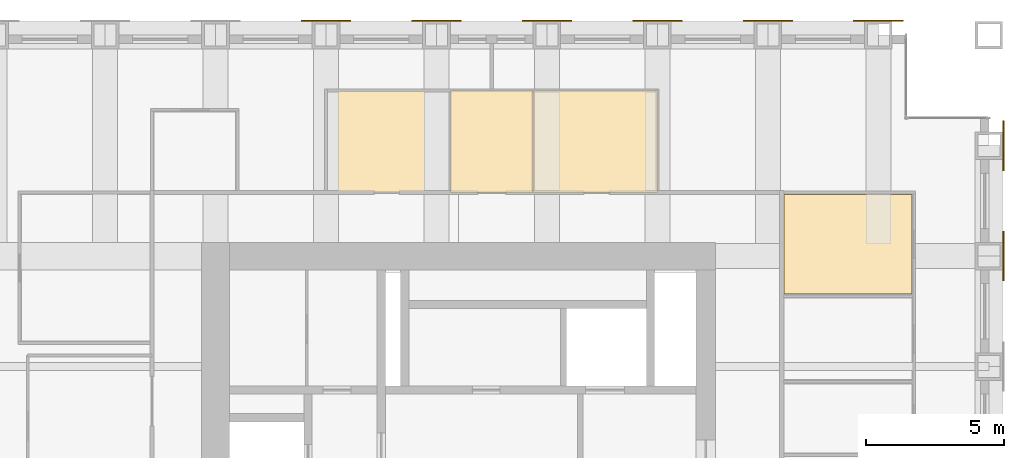
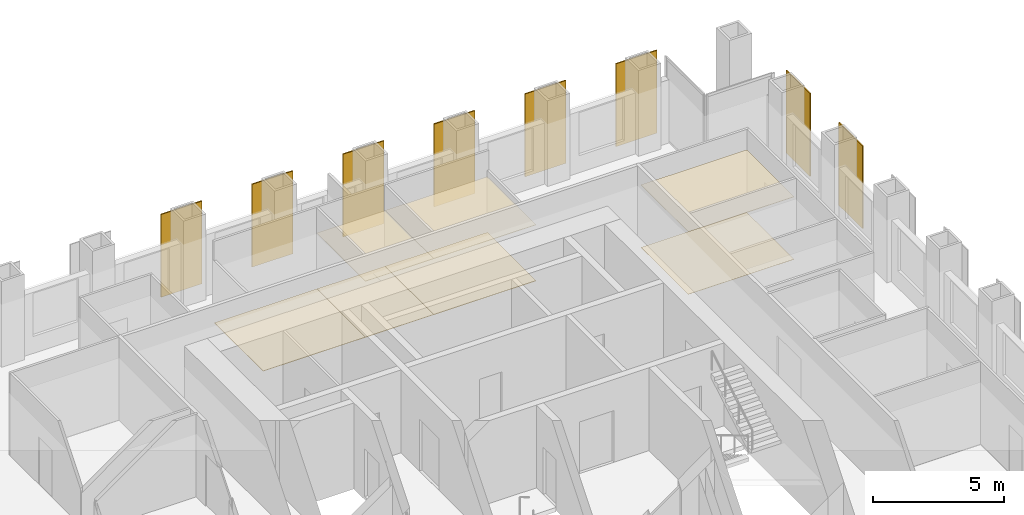
# One storey, part 13 of 13: 8 shading devices, 7 coverings.
"""IFC4 building model written with IfcOpenShell, lengths in metres."""

from ifc_helpers import new_model, si_unit, direction, frame, origin, origin_2d, place, context, subcontext, project, spatial, polyline, rectangle, outline, extrude, material, layer, layer_set, type_object, element, save


model = new_model("IFC4")

# Units and contexts
model_context = context("Model", 3, precision=1e-05, world=origin(), true_north=direction((0.0, 1.0)))
body_context = subcontext(model_context, "Body", "Model", "MODEL_VIEW")
ifc_project = project(units=[si_unit("LENGTHUNIT", "METRE"), si_unit("AREAUNIT", "SQUARE_METRE"), si_unit("VOLUMEUNIT", "CUBIC_METRE"), si_unit("PLANEANGLEUNIT", "RADIAN"), si_unit("MASSUNIT", "GRAM", prefix="KILO")], contexts=[model_context])

# Site, building, storey
site_placement = place(None, origin())
site = spatial("IfcSite", under=ifc_project, at=site_placement, CompositionType="ELEMENT")
building_placement = place(site_placement, origin())
building = spatial("IfcBuilding", under=site, at=building_placement, Name="Rimbunsela Tower", CompositionType="ELEMENT")
storey_placement = place(building_placement, frame((0.0, 0.0, 294.199951171875)))
storey = spatial("IfcBuildingStorey", under=building, at=storey_placement, Name="L71", CompositionType="ELEMENT", Elevation=294.199951171875)

# Coverings
ifc_material_1 = material(Name="Nylon carpet tile", Category="textile")
ifc_layer_1 = layer(ifc_material_1, 0.010009765625)
ifc_layer_set_1 = layer_set([ifc_layer_1], Name="Carpet tile 10")
covering_type_1 = type_object("IfcCoveringType", Name="Carpet tile 10", PredefinedType="FLOORING", material=ifc_layer_set_1)
covering_1_placement = place(storey_placement, origin())
element("IfcCovering", 1, at=covering_1_placement, inside=storey, type_object=covering_type_1, Name="Floor finish Meeting room", PredefinedType="FLOORING", context=body_context, shape_type="SweptSolid", body=[
    extrude(outline(polyline([(43.22509765625, 34.625), (43.22509765625, 38.22509765625), (38.574951171875, 38.22509765625), (38.574951171875, 34.625), (43.22509765625, 34.625)])), origin(), (0.0, 0.0, 1.0), 0.010009765625),
])
ifc_material_2 = material(Name="Mineral fibre ceiling tile", Category="gypsum")
ifc_layer_2 = layer(ifc_material_2, 0.02001953125)
ifc_layer_set_2 = layer_set([ifc_layer_2], Name="Ceiling 600 grid")
covering_type_2 = type_object("IfcCoveringType", Name="Ceiling 600 grid", PredefinedType="CEILING", material=ifc_layer_set_2)
covering_2_placement = place(storey_placement, frame((0.0, 0.0, 2.900146484375)))
element("IfcCovering", 2, at=covering_2_placement, inside=storey, type_object=covering_type_2, Name="Ceiling Meeting room", PredefinedType="CEILING", context=body_context, shape_type="SweptSolid", body=[
    extrude(outline(polyline([(43.22509765625, 34.625), (43.22509765625, 38.22509765625), (38.574951171875, 38.22509765625), (38.574951171875, 34.625), (43.22509765625, 34.625)])), origin(), (0.0, 0.0, 1.0), 0.02001953125),
])
ifc_material_3 = material(Name="Moisture-resistant plasterboard ceiling", Category="gypsum")
ifc_layer_3 = layer(ifc_material_3, 0.012451171875)
ifc_layer_set_3 = layer_set([ifc_layer_3], Name="Ceiling moisture-resistant board")
covering_type_3 = type_object("IfcCoveringType", Name="Ceiling moisture-resistant board", PredefinedType="CEILING", material=ifc_layer_set_3)
covering_3_placement = place(storey_placement, frame((0.0, 0.0, 2.60009765625)))
element("IfcCovering", 3, at=covering_3_placement, inside=storey, type_object=covering_type_3, Name="Ceiling Accessible WC", PredefinedType="CEILING", context=body_context, shape_type="SweptSolid", body=[
    extrude(outline(polyline([(29.5, 38.300048828125), (29.5, 42.0), (26.5, 42.0), (26.5, 38.300048828125), (29.5, 38.300048828125)])), origin(), (0.0, 0.0, 1.0), 0.02001953125),
])
covering_4_placement = place(storey_placement, frame((0.0, 0.0, 2.60009765625)))
element("IfcCovering", 4, at=covering_4_placement, inside=storey, type_object=covering_type_3, Name="Ceiling Male WC", PredefinedType="CEILING", context=body_context, shape_type="SweptSolid", body=[
    extrude(outline(polyline([(34.0, 38.300048828125), (34.0, 42.0), (29.5, 42.0), (29.5, 38.300048828125), (34.0, 38.300048828125)])), origin(), (0.0, 0.0, 1.0), 0.02001953125),
])
ifc_material_4 = material(Name="Porcelain floor tile in adhesive bed", Category="ceramic")
ifc_layer_4 = layer(ifc_material_4, 0.02001953125)
ifc_layer_set_4 = layer_set([ifc_layer_4], Name="Porcelain tile 20")
covering_type_4 = type_object("IfcCoveringType", Name="Porcelain tile 20", PredefinedType="FLOORING", material=ifc_layer_set_4)
covering_5_placement = place(storey_placement, origin())
element("IfcCovering", 5, at=covering_5_placement, inside=storey, type_object=covering_type_4, Name="Floor finish Female WC", PredefinedType="FLOORING", context=body_context, shape_type="SweptSolid", body=[
    extrude(outline(polyline([(26.5, 38.300048828125), (26.5, 42.0), (22.0, 42.0), (22.0, 38.300048828125), (26.5, 38.300048828125)])), origin(), (0.0, 0.0, 1.0), 0.02001953125),
])
covering_6_placement = place(storey_placement, origin())
element("IfcCovering", 6, at=covering_6_placement, inside=storey, type_object=covering_type_4, Name="Floor finish Accessible WC", PredefinedType="FLOORING", context=body_context, shape_type="SweptSolid", body=[
    extrude(outline(polyline([(29.5, 38.300048828125), (29.5, 42.0), (26.5, 42.0), (26.5, 38.300048828125), (29.5, 38.300048828125)])), origin(), (0.0, 0.0, 1.0), 0.02001953125),
])
covering_7_placement = place(storey_placement, origin())
element("IfcCovering", 7, at=covering_7_placement, inside=storey, type_object=covering_type_4, Name="Floor finish Male WC", PredefinedType="FLOORING", context=body_context, shape_type="SweptSolid", body=[
    extrude(outline(polyline([(34.0, 38.300048828125), (34.0, 42.0), (29.5, 42.0), (29.5, 38.300048828125), (34.0, 38.300048828125)])), origin(), (0.0, 0.0, 1.0), 0.02001953125),
])

# Shading devices
ifc_material_5 = material(Name="Perforated aluminium, 35 % open area", Category="aluminium")
ifc_layer_5 = layer(ifc_material_5, 0.050048828125)
ifc_layer_set_5 = layer_set([ifc_layer_5], Name="Solar screen panel 1800")
shading_device_type = type_object("IfcShadingDeviceType", Name="Solar screen panel 1800", PredefinedType="USERDEFINED", material=ifc_layer_set_5)
for number, where, z_axis, x_axis, name in (
    (8, (46.52490234375, 36.0, 0.0), (0.0, 0.0, 1.0), (0.0, 1.0, 0.0), "Solar screen E L71"),
    (9, (46.52490234375, 40.0, 0.0), (0.0, 0.0, 1.0), (0.0, 1.0, 0.0), "Solar screen E L71"),
    (10, (22.0, 44.52490234375, 0.0), (0.0, 0.0, 1.0), (1.0, 0.0, 0.0), "Solar screen N L71"),
    (11, (26.0, 44.52490234375, 0.0), (0.0, 0.0, 1.0), (1.0, 0.0, 0.0), "Solar screen N L71"),
    (12, (30.0, 44.52490234375, 0.0), (0.0, 0.0, 1.0), (1.0, 0.0, 0.0), "Solar screen N L71"),
    (13, (34.0, 44.52490234375, 0.0), (0.0, 0.0, 1.0), (1.0, 0.0, 0.0), "Solar screen N L71"),
    (14, (38.0, 44.52490234375, 0.0), (0.0, 0.0, 1.0), (1.0, 0.0, 0.0), "Solar screen N L71"),
    (15, (42.0, 44.52490234375, 0.0), (0.0, 0.0, 1.0), (1.0, 0.0, 0.0), "Solar screen N L71"),
):
    element("IfcShadingDevice", number, at=place(storey_placement, frame(where, z_axis=z_axis, x_axis=x_axis)), inside=storey, type_object=shading_device_type, Name=name, ObjectType="SCREEN", PredefinedType="USERDEFINED", context=body_context, shape_type="SweptSolid", body=[
        extrude(rectangle(XDim=1.800048828125, YDim=0.050048828125, at=origin_2d()), origin(), (0.0, 0.0, 1.0), 3.85009765625),
    ])

save(model, "model.ifc")
